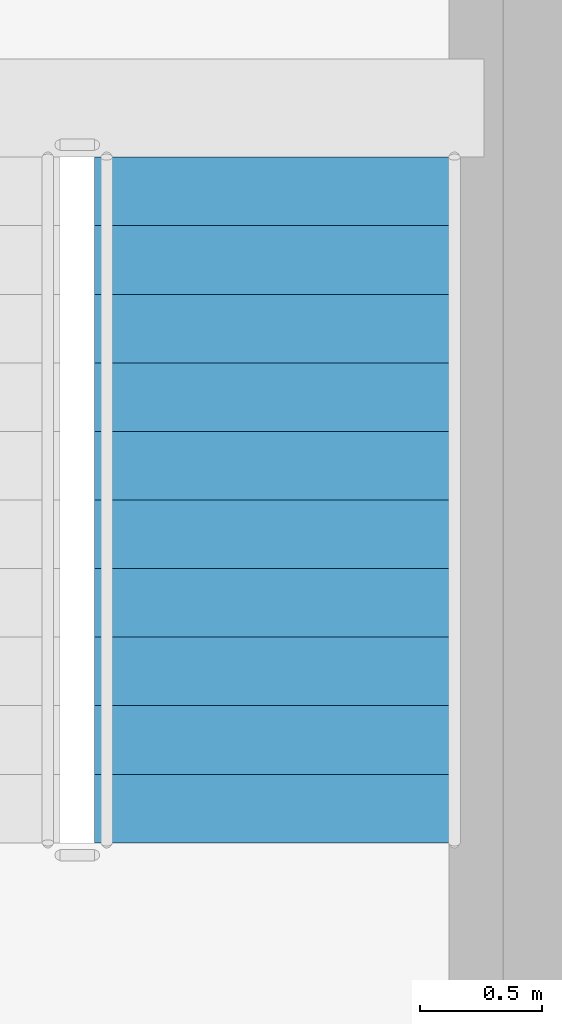
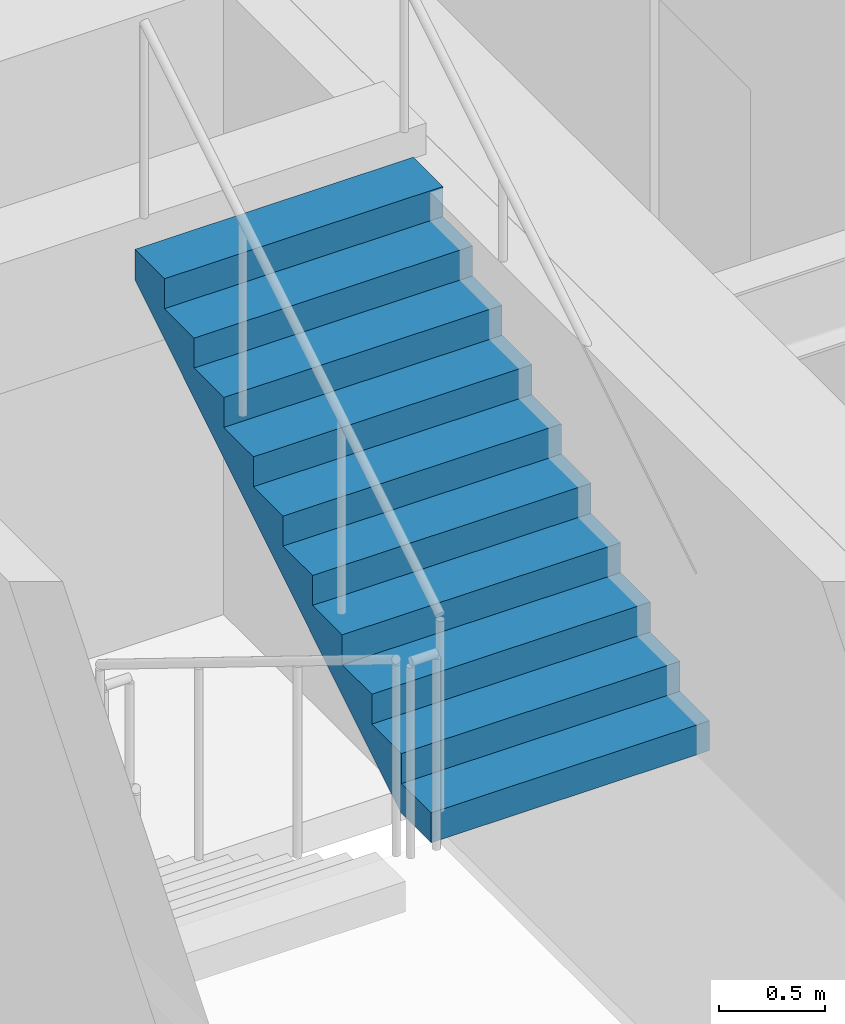
# One storey, part 10 of 13: 1 stair flight, 1 element without a shape of its own.
"""IFC4 building model written with IfcOpenShell, lengths in metres."""

from ifc_helpers import new_model, si_unit, direction, frame, origin, place, context, subcontext, project, spatial, polyline, outline, extrude, material, type_object, element, aggregate, save


model = new_model("IFC4")

# Units and contexts
model_context = context("Model", 3, precision=1e-05, world=origin(), true_north=direction((0.0, 1.0)))
body_context = subcontext(model_context, "Body", "Model", "MODEL_VIEW")
ifc_project = project(units=[si_unit("LENGTHUNIT", "METRE"), si_unit("AREAUNIT", "SQUARE_METRE"), si_unit("VOLUMEUNIT", "CUBIC_METRE"), si_unit("PLANEANGLEUNIT", "RADIAN"), si_unit("MASSUNIT", "GRAM", prefix="KILO")], contexts=[model_context])

# Site, building, storey
site_placement = place(None, origin())
site = spatial("IfcSite", under=ifc_project, at=site_placement, CompositionType="ELEMENT")
building_placement = place(site_placement, origin())
building = spatial("IfcBuilding", under=site, at=building_placement, Name="Haolan Belvedere Tower", CompositionType="ELEMENT")
storey_placement = place(building_placement, frame((0.0, 0.0, 219.199951171875)))
storey = spatial("IfcBuildingStorey", under=building, at=storey_placement, Name="L55", CompositionType="ELEMENT", Elevation=219.199951171875)

# Stair, stair flight
ifc_material = material(Name="Concrete C40/50", Category="concrete")
stair_type = type_object("IfcStairType", Name="STR-DL-22R-173", PredefinedType="HALF_TURN_STAIR", material=ifc_material)
stair_placement = place(storey_placement, origin())
stair = element("IfcStair", 1, at=stair_placement, inside=storey, type_object=stair_type, Name="L55 Smokeproof Core Exit Stair ST2", PredefinedType="HALF_TURN_STAIR")
stair_flight_type = type_object("IfcStairFlightType", Name="SFL-DL-11R-173", PredefinedType="STRAIGHT", material=ifc_material)
stair_flight_placement = place(storey_placement, frame((45.590087890625, 38.429931640625, 1.900146484375), z_axis=(0.0, 0.0, 1.0), x_axis=(0.0, 1.0, 0.0)))
stair_flight = element("IfcStairFlight", 2, at=stair_flight_placement, type_object=stair_flight_type, Name="ST2 flight 2", NumberOfRisers=11, NumberOfTreads=10, PredefinedType="STRAIGHT", RiserHeight=0.172727273, TreadLength=0.28, context=body_context, shape_type="SweptSolid", body=[
    extrude(outline(polyline([(0.0, 0.0), (0.0, 0.172607421875), (0.280029296875, 0.172607421875), (0.280029296875, 0.345458984375), (0.56005859375, 0.345458984375), (0.56005859375, 0.51806640625), (0.840087890625, 0.51806640625), (0.840087890625, 0.69091796875), (1.1201171875, 0.69091796875), (1.1201171875, 0.863525390625), (1.39990234375, 0.863525390625), (1.39990234375, 1.036376953125), (1.679931640625, 1.036376953125), (1.679931640625, 1.208984375), (1.9599609375, 1.208984375), (1.9599609375, 1.3818359375), (2.239990234375, 1.3818359375), (2.239990234375, 1.554443359375), (2.52001953125, 1.554443359375), (2.52001953125, 1.727294921875), (2.800048828125, 1.727294921875), (2.800048828125, 1.89990234375), (2.800048828125, 1.551025390625), (0.285400390625, 0.0), (0.0, 0.0)])), frame((0.0, 0.760009765625, 0.0), z_axis=(0.0, -1.0, 0.0), x_axis=(1.0, 0.0, 0.0)), (0.0, 0.0, 1.0), 1.52001953125),
])
aggregate(stair, [stair_flight])

save(model, "model.ifc")
